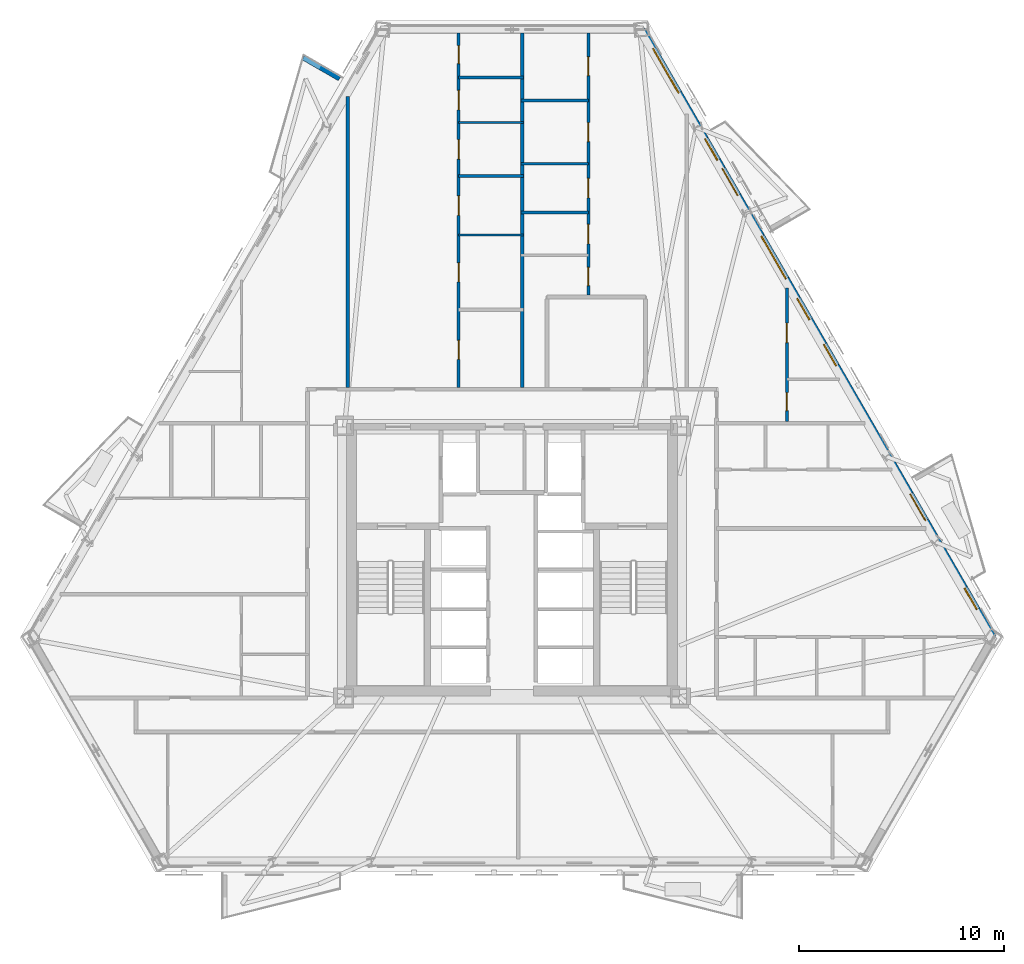
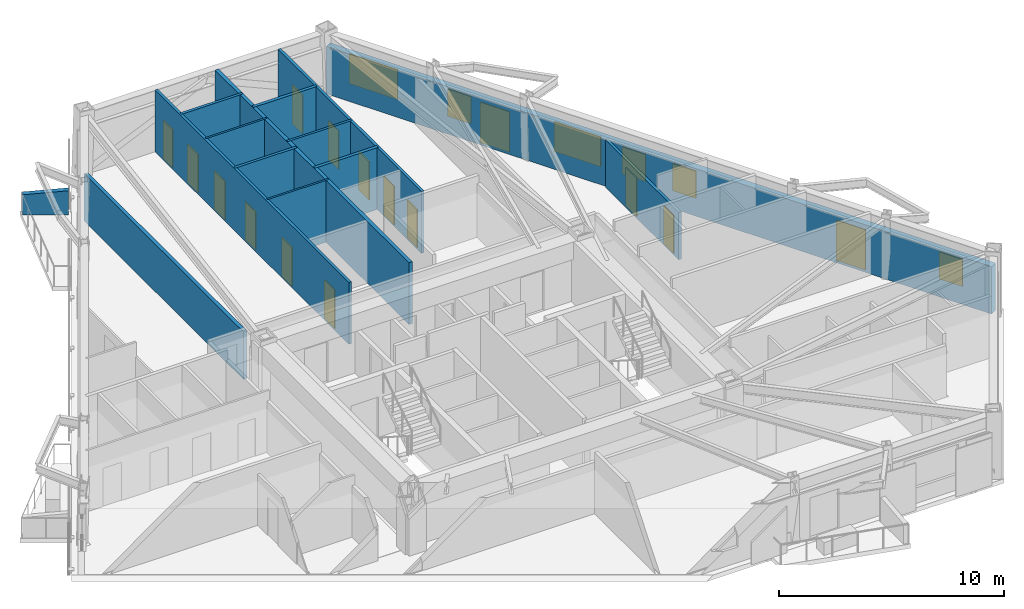
# One storey, part 6 of 11: 15 doors, 14 walls, 6 windows, 21 openings.
"""IFC4 building model written with IfcOpenShell, lengths in metres."""

from ifc_helpers import new_model, si_unit, direction, frame, frame_2d, origin, place, context, subcontext, project, spatial, polyline, rectangle, outline, extrude, material, layer, layer_set, type_object, element, fill, save


model = new_model("IFC4")

# Units and contexts
model_context = context("Model", 3, precision=1e-05, world=origin(), true_north=direction((0.0, 1.0)))
body_context = subcontext(model_context, "Body", "Model", "MODEL_VIEW")
ifc_project = project(units=[si_unit("LENGTHUNIT", "METRE"), si_unit("AREAUNIT", "SQUARE_METRE"), si_unit("VOLUMEUNIT", "CUBIC_METRE"), si_unit("PLANEANGLEUNIT", "RADIAN"), si_unit("MASSUNIT", "GRAM", prefix="KILO")], contexts=[model_context])

# Site, building, storey
site_placement = place(None, origin())
site = spatial("IfcSite", under=ifc_project, at=site_placement, CompositionType="ELEMENT")
building_placement = place(site_placement, origin())
building = spatial("IfcBuilding", under=site, at=building_placement, Name="Oramaril Tower", CompositionType="ELEMENT")
storey_placement = place(building_placement, frame((0.0, 0.0, 86.10009765625)))
storey = spatial("IfcBuildingStorey", under=building, at=storey_placement, Name="L22", CompositionType="ELEMENT", Elevation=86.10009765625)

# Wall, openings, doors, windows
ifc_material_1 = material(Name="Warm Cream Limestone", Category="masonry")
ifc_layer_1 = layer(ifc_material_1, 0.340087890625)
ifc_layer_set_1 = layer_set([ifc_layer_1], Name="WT-EXT34")
wall_type_1 = type_object("IfcWallType", Name="WT-EXT34", PredefinedType="SOLIDWALL", material=ifc_layer_set_1)
wall_1_placement = place(storey_placement, frame((60.917236328125, 13.87939453125, 0.0), z_axis=(0.0, 0.0, 1.0), x_axis=(-0.49999956034, 0.866025657622, 0.0)))
wall_1 = element("IfcWall", 1, at=wall_1_placement, inside=storey, type_object=wall_type_1, Name="L22 Tower Limestone Facade Wall 4M", PredefinedType="SOLIDWALL", context=body_context, shape_type="SweptSolid", body=[
    extrude(rectangle(XDim=34.19189453125, YDim=0.340087890625, at=frame_2d((17.095947265625, 0.0))), origin(), (0.0, 0.0, 1.0), 2.577880859375),
])
opening_1_placement = place(wall_1_placement, frame((6.579345703125, 0.0, 0.0)))
opening_1 = element("IfcOpeningElement", 2, at=opening_1_placement, cuts=wall_1, Name="Opening D-L22-BAL-NE1", PredefinedType="OPENING", context=body_context, shape_type="SweptSolid", body=[
    extrude(rectangle(XDim=1.5, YDim=2.199951171875, at=frame_2d((0.75, 1.10009765625))), frame((0.0, 0.169921875, 0.0), z_axis=(0.0, -1.0, 0.0), x_axis=(1.0, 0.0, 0.0)), (0.0, 0.0, 1.0), 0.340087890625),
])
opening_2_placement = place(wall_1_placement, frame((24.86767578125, 0.0, 0.0)))
opening_2 = element("IfcOpeningElement", 3, at=opening_2_placement, cuts=wall_1, Name="Opening D-L22-BAL-NE2", PredefinedType="OPENING", context=body_context, shape_type="SweptSolid", body=[
    extrude(rectangle(XDim=1.5, YDim=2.199951171875, at=frame_2d((0.75, 1.10009765625))), frame((0.0, 0.169921875, 0.0), z_axis=(0.0, -1.0, 0.0), x_axis=(1.0, 0.0, 0.0)), (0.0, 0.0, 1.0), 0.340087890625),
])
opening_3_placement = place(wall_1_placement, frame((1.583984375, 0.0, 0.85009765625)))
opening_3 = element("IfcOpeningElement", 4, at=opening_3_placement, cuts=wall_1, Name="Opening WN-09", PredefinedType="OPENING", context=body_context, shape_type="SweptSolid", body=[
    extrude(rectangle(XDim=1.199951171875, YDim=1.47998046875, at=frame_2d((0.60009765625, 0.739990234375))), frame((0.0, 0.169921875, 0.0), z_axis=(0.0, -1.0, 0.0), x_axis=(1.0, 0.0, 0.0)), (0.0, 0.0, 1.0), 0.340087890625),
])
opening_4_placement = place(wall_1_placement, frame((30.611328125, 0.0, 0.85009765625)))
opening_4 = element("IfcOpeningElement", 5, at=opening_4_placement, cuts=wall_1, Name="Opening WN-11", PredefinedType="OPENING", context=body_context, shape_type="SweptSolid", body=[
    extrude(rectangle(XDim=2.5, YDim=1.617919921875, at=frame_2d((1.25, 0.80908203125))), frame((0.0, 0.169921875, 0.0), z_axis=(0.0, -1.0, 0.0), x_axis=(1.0, 0.0, 0.0)), (0.0, 0.0, 1.0), 0.340087890625),
])
opening_5_placement = place(wall_1_placement, frame((20.169921875, 0.0, 0.85009765625)))
opening_5 = element("IfcOpeningElement", 6, at=opening_5_placement, cuts=wall_1, Name="Opening WN-03", PredefinedType="OPENING", context=body_context, shape_type="SweptSolid", body=[
    extrude(rectangle(XDim=2.39990234375, YDim=1.617919921875, at=frame_2d((1.199951171875, 0.80908203125))), frame((0.0, 0.169921875, 0.0), z_axis=(0.0, -1.0, 0.0), x_axis=(1.0, 0.0, 0.0)), (0.0, 0.0, 1.0), 0.340087890625),
])
opening_6_placement = place(wall_1_placement, frame((26.84130859375, 0.0, 0.85009765625)))
opening_6 = element("IfcOpeningElement", 7, at=opening_6_placement, cuts=wall_1, Name="Opening WN-09", PredefinedType="OPENING", context=body_context, shape_type="SweptSolid", body=[
    extrude(rectangle(XDim=1.199951171875, YDim=1.47998046875, at=frame_2d((0.60009765625, 0.739990234375))), frame((0.0, 0.169921875, 0.0), z_axis=(0.0, -1.0, 0.0), x_axis=(1.0, 0.0, 0.0)), (0.0, 0.0, 1.0), 0.340087890625),
])
opening_7_placement = place(wall_1_placement, frame((15.27880859375, 0.0, 0.85009765625)))
opening_7 = element("IfcOpeningElement", 8, at=opening_7_placement, cuts=wall_1, Name="Opening WN-09", PredefinedType="OPENING", context=body_context, shape_type="SweptSolid", body=[
    extrude(rectangle(XDim=1.199951171875, YDim=1.47998046875, at=frame_2d((0.60009765625, 0.739990234375))), frame((0.0, 0.169921875, 0.0), z_axis=(0.0, -1.0, 0.0), x_axis=(1.0, 0.0, 0.0)), (0.0, 0.0, 1.0), 0.340087890625),
])
opening_8_placement = place(wall_1_placement, frame((17.87255859375, 0.0, 0.85009765625)))
opening_8 = element("IfcOpeningElement", 9, at=opening_8_placement, cuts=wall_1, Name="Opening WN-09", PredefinedType="OPENING", context=body_context, shape_type="SweptSolid", body=[
    extrude(rectangle(XDim=1.199951171875, YDim=1.47998046875, at=frame_2d((0.60009765625, 0.739990234375))), frame((0.0, 0.169921875, 0.0), z_axis=(0.0, -1.0, 0.0), x_axis=(1.0, 0.0, 0.0)), (0.0, 0.0, 1.0), 0.340087890625),
])
ifc_material_2 = material(Name="Anodised Aluminium 6063-T6", Category="aluminium")
door_type_1 = type_object("IfcDoorType", Name="DT-BAL", OperationType="NOTDEFINED", PredefinedType="DOOR", material=ifc_material_2)
door_1_placement = place(opening_1_placement, origin())
door_1 = element("IfcDoor", 10, at=door_1_placement, inside=storey, type_object=door_type_1, Name="L22 Balcony Glazed Door L22-BAL-NE1", OperationType="SINGLE_SWING_LEFT", OverallHeight=2.199951171875, OverallWidth=1.5, PredefinedType="DOOR", context=body_context, shape_type="SweptSolid", body=[
    extrude(rectangle(XDim=1.5, YDim=2.199951171875, at=frame_2d((0.75, 1.10009765625))), frame((0.0, 0.02490234375, 0.0), z_axis=(0.0, -1.0, 0.0), x_axis=(1.0, 0.0, 0.0)), (0.0, 0.0, 1.0), 0.050048828125),
])
fill(opening_1, door_1)
door_2_placement = place(opening_2_placement, origin())
door_2 = element("IfcDoor", 11, at=door_2_placement, inside=storey, type_object=door_type_1, Name="L22 Balcony Glazed Door L22-BAL-NE2", OperationType="SINGLE_SWING_RIGHT", OverallHeight=2.199951171875, OverallWidth=1.5, PredefinedType="DOOR", context=body_context, shape_type="SweptSolid", body=[
    extrude(rectangle(XDim=1.5, YDim=2.199951171875, at=frame_2d((0.75, 1.10009765625))), frame((0.0, 0.02490234375, 0.0), z_axis=(0.0, -1.0, 0.0), x_axis=(1.0, 0.0, 0.0)), (0.0, 0.0, 1.0), 0.050048828125),
])
fill(opening_2, door_2)
ifc_material_3 = material(Name="Coastal Low-E Insulated Glass", Category="glass")
window_type_1 = type_object("IfcWindowType", Name="WNT-03", PartitioningType="SINGLE_PANEL", PredefinedType="WINDOW", material=ifc_material_3)
window_1_placement = place(opening_5_placement, origin())
window_1 = element("IfcWindow", 12, at=window_1_placement, inside=storey, type_object=window_type_1, Name="L22 Chicago Bay Window WN-03", OverallHeight=1.617919921875, OverallWidth=2.39990234375, PartitioningType="SINGLE_PANEL", PredefinedType="WINDOW", context=body_context, shape_type="SweptSolid", body=[
    extrude(rectangle(XDim=2.39990234375, YDim=1.617919921875, at=frame_2d((1.199951171875, 0.80908203125))), frame((0.0, 0.030029296875, 0.0), z_axis=(0.0, -1.0, 0.0), x_axis=(1.0, 0.0, 0.0)), (0.0, 0.0, 1.0), 0.06005859375),
])
fill(opening_5, window_1)
ifc_material_4 = material(Name="Coastal Low-E Insulated Glass", Category="glass")
window_type_2 = type_object("IfcWindowType", Name="WNT-09", PartitioningType="SINGLE_PANEL", PredefinedType="WINDOW", material=ifc_material_4)
window_2_placement = place(opening_3_placement, origin())
window_2 = element("IfcWindow", 13, at=window_2_placement, inside=storey, type_object=window_type_2, Name="L22 Chicago Bay Window WN-09", OverallHeight=1.47998046875, OverallWidth=1.199951171875, PartitioningType="SINGLE_PANEL", PredefinedType="WINDOW", context=body_context, shape_type="SweptSolid", body=[
    extrude(rectangle(XDim=1.199951171875, YDim=1.47998046875, at=frame_2d((0.60009765625, 0.739990234375))), frame((0.0, 0.030029296875, 0.0), z_axis=(0.0, -1.0, 0.0), x_axis=(1.0, 0.0, 0.0)), (0.0, 0.0, 1.0), 0.06005859375),
])
fill(opening_3, window_2)
window_3_placement = place(opening_6_placement, origin())
window_3 = element("IfcWindow", 14, at=window_3_placement, inside=storey, type_object=window_type_2, Name="L22 Chicago Bay Window WN-09", OverallHeight=1.47998046875, OverallWidth=1.199951171875, PartitioningType="SINGLE_PANEL", PredefinedType="WINDOW", context=body_context, shape_type="SweptSolid", body=[
    extrude(rectangle(XDim=1.199951171875, YDim=1.47998046875, at=frame_2d((0.60009765625, 0.739990234375))), frame((0.0, 0.030029296875, 0.0), z_axis=(0.0, -1.0, 0.0), x_axis=(1.0, 0.0, 0.0)), (0.0, 0.0, 1.0), 0.06005859375),
])
fill(opening_6, window_3)
window_4_placement = place(opening_7_placement, origin())
window_4 = element("IfcWindow", 15, at=window_4_placement, inside=storey, type_object=window_type_2, Name="L22 Chicago Bay Window WN-09", OverallHeight=1.47998046875, OverallWidth=1.199951171875, PartitioningType="SINGLE_PANEL", PredefinedType="WINDOW", context=body_context, shape_type="SweptSolid", body=[
    extrude(rectangle(XDim=1.199951171875, YDim=1.47998046875, at=frame_2d((0.60009765625, 0.739990234375))), frame((0.0, 0.030029296875, 0.0), z_axis=(0.0, -1.0, 0.0), x_axis=(1.0, 0.0, 0.0)), (0.0, 0.0, 1.0), 0.06005859375),
])
fill(opening_7, window_4)
window_5_placement = place(opening_8_placement, origin())
window_5 = element("IfcWindow", 16, at=window_5_placement, inside=storey, type_object=window_type_2, Name="L22 Chicago Bay Window WN-09", OverallHeight=1.47998046875, OverallWidth=1.199951171875, PartitioningType="SINGLE_PANEL", PredefinedType="WINDOW", context=body_context, shape_type="SweptSolid", body=[
    extrude(rectangle(XDim=1.199951171875, YDim=1.47998046875, at=frame_2d((0.60009765625, 0.739990234375))), frame((0.0, 0.030029296875, 0.0), z_axis=(0.0, -1.0, 0.0), x_axis=(1.0, 0.0, 0.0)), (0.0, 0.0, 1.0), 0.06005859375),
])
fill(opening_8, window_5)
ifc_material_5 = material(Name="Coastal Low-E Insulated Glass", Category="glass")
window_type_3 = type_object("IfcWindowType", Name="WNT-11", PartitioningType="SINGLE_PANEL", PredefinedType="WINDOW", material=ifc_material_5)
window_6_placement = place(opening_4_placement, origin())
window_6 = element("IfcWindow", 17, at=window_6_placement, inside=storey, type_object=window_type_3, Name="L22 Chicago Bay Window WN-11", OverallHeight=1.617919921875, OverallWidth=2.5, PartitioningType="SINGLE_PANEL", PredefinedType="WINDOW", context=body_context, shape_type="SweptSolid", body=[
    extrude(rectangle(XDim=2.5, YDim=1.617919921875, at=frame_2d((1.25, 0.80908203125))), frame((0.0, 0.030029296875, 0.0), z_axis=(0.0, -1.0, 0.0), x_axis=(1.0, 0.0, 0.0)), (0.0, 0.0, 1.0), 0.06005859375),
])
fill(opening_4, window_6)

# Walls
ifc_material_6 = material(Name="Concrete C40/50", Category="concrete")
ifc_layer_2 = layer(ifc_material_6, 0.22998046875)
ifc_layer_set_2 = layer_set([ifc_layer_2], Name="WT-PRP23")
wall_type_2 = type_object("IfcWallType", Name="WT-PRP23", PredefinedType="PARAPET", material=ifc_layer_set_2)
wall_2_placement = place(storey_placement, frame((29.103515625, 41.09228515625, 0.0), z_axis=(0.0, 0.0, 1.0), x_axis=(-0.866012356593, 0.500022597718, 0.0)))
element("IfcWall", 18, at=wall_2_placement, inside=storey, type_object=wall_type_2, Name="L22 Trapezoidal Balcony Frame Cheek L22-BAL-NW1-L", PredefinedType="PARAPET", context=body_context, shape_type="SweptSolid", body=[
    extrude(outline(polyline([(0.0, 0.0), (2.0419921875, 0.0), (2.0419921875, 1.099853515625), (0.0, 1.31982421875), (0.0, 0.0)])), frame((0.0, 0.114990234375, 0.0), z_axis=(0.0, -1.0, 0.0), x_axis=(1.0, 0.0, 0.0)), (0.0, 0.0, 1.0), 0.22998046875),
])
ifc_material_7 = material(Name="Acoustic Gypsum Board Partition")
ifc_layer_3 = layer(ifc_material_7, 0.10009765625)
ifc_layer_set_3 = layer_set([ifc_layer_3], Name="WT-PT10")
wall_type_3 = type_object("IfcWallType", Name="WT-PT10", PredefinedType="PARTITIONING", material=ifc_layer_set_3)
for number, where, z_axis, x_axis, name in (
    (19, (34.89990234375, 33.489990234375, 0.0), (0.0, 0.0, 1.0), (1.0, 0.0, 0.0), "L22 Interior Partition PT-10"),
    (20, (34.89990234375, 38.9599609375, 0.0), (0.0, 0.0, 1.0), (1.0, 0.0, 0.0), "L22 Interior Partition PT-10"),
):
    element("IfcWall", number, at=place(storey_placement, frame(where, z_axis=z_axis, x_axis=x_axis)), inside=storey, type_object=wall_type_3, Name=name, PredefinedType="PARTITIONING", context=body_context, shape_type="SweptSolid", body=[
        extrude(rectangle(XDim=3.150146484375, YDim=0.10009765625, at=frame_2d((1.5751953125, 0.0))), origin(), (0.0, 0.0, 1.0), 3.35986328125),
    ])
ifc_material_8 = material(Name="Acoustic Gypsum Board Partition")
ifc_layer_4 = layer(ifc_material_8, 0.1201171875)
ifc_layer_set_4 = layer_set([ifc_layer_4], Name="WT-PT12")
wall_type_4 = type_object("IfcWallType", Name="WT-PT12", PredefinedType="PARTITIONING", material=ifc_layer_set_4)
wall_3_placement = place(storey_placement, frame((37.949951171875, 36.949951171875, 0.0), z_axis=(0.0, 0.0, 1.0), x_axis=(1.0, 0.0, 0.0)))
element("IfcWall", 21, at=wall_3_placement, inside=storey, type_object=wall_type_4, Name="L22 Interior Partition PT-12", PredefinedType="PARTITIONING", context=body_context, shape_type="SweptSolid", body=[
    extrude(rectangle(XDim=3.27001953125, YDim=0.1201171875, at=frame_2d((1.635009765625, 0.0))), origin(), (0.0, 0.0, 1.0), 3.35986328125),
])
ifc_material_9 = material(Name="Acoustic Gypsum Board Partition")
ifc_layer_5 = layer(ifc_material_9, 0.139892578125)
ifc_layer_set_5 = layer_set([ifc_layer_5], Name="WT-PT14")
wall_type_5 = type_object("IfcWallType", Name="WT-PT14", PredefinedType="PARTITIONING", material=ifc_layer_set_5)
for number, where, z_axis, x_axis, name in (
    (22, (34.89990234375, 36.35009765625, 0.0), (0.0, 0.0, 1.0), (1.0, 0.0, 0.0), "L22 Interior Partition PT-14"),
    (23, (34.89990234375, 41.159912109375, 0.0), (0.0, 0.0, 1.0), (1.0, 0.0, 0.0), "L22 Interior Partition PT-14"),
):
    element("IfcWall", number, at=place(storey_placement, frame(where, z_axis=z_axis, x_axis=x_axis)), inside=storey, type_object=wall_type_5, Name=name, PredefinedType="PARTITIONING", context=body_context, shape_type="SweptSolid", body=[
        extrude(rectangle(XDim=3.150146484375, YDim=0.139892578125, at=frame_2d((1.5751953125, 0.0))), origin(), (0.0, 0.0, 1.0), 3.35986328125),
    ])

# Wall, openings, doors
wall_4_placement = place(storey_placement, frame((34.89990234375, 26.06396484375, 0.0), z_axis=(0.0, 0.0, 1.0), x_axis=(0.0, 1.0, 0.0)))
wall_4 = element("IfcWall", 24, at=wall_4_placement, inside=storey, type_object=wall_type_5, Name="L22 Interior Partition PT-14", PredefinedType="PARTITIONING", context=body_context, shape_type="SweptSolid", body=[
    extrude(rectangle(XDim=17.25244140625, YDim=0.139892578125, at=frame_2d((8.626220703125, 0.0))), origin(), (0.0, 0.0, 1.0), 3.35986328125),
])
opening_9_placement = place(wall_4_placement, frame((1.368408203125, 0.0, 0.0)))
opening_9 = element("IfcOpeningElement", 25, at=opening_9_placement, cuts=wall_4, Name="Opening D-L22-26", PredefinedType="OPENING", context=body_context, shape_type="SweptSolid", body=[
    extrude(rectangle(XDim=0.919921875, YDim=2.1201171875, at=frame_2d((0.4599609375, 1.06005859375))), frame((0.0, 0.06982421875, 0.0), z_axis=(0.0, -1.0, 0.0), x_axis=(1.0, 0.0, 0.0)), (0.0, 0.0, 1.0), 0.139892578125),
])
opening_10_placement = place(wall_4_placement, frame((5.142822265625, 0.0, 0.0)))
opening_10 = element("IfcOpeningElement", 26, at=opening_10_placement, cuts=wall_4, Name="Opening D-L22-27", PredefinedType="OPENING", context=body_context, shape_type="SweptSolid", body=[
    extrude(rectangle(XDim=0.919921875, YDim=2.1201171875, at=frame_2d((0.4599609375, 1.06005859375))), frame((0.0, 0.06982421875, 0.0), z_axis=(0.0, -1.0, 0.0), x_axis=(1.0, 0.0, 0.0)), (0.0, 0.0, 1.0), 0.139892578125),
])
opening_11_placement = place(wall_4_placement, frame((8.381591796875, 0.0, 0.0)))
opening_11 = element("IfcOpeningElement", 27, at=opening_11_placement, cuts=wall_4, Name="Opening D-L22-28", PredefinedType="OPENING", context=body_context, shape_type="SweptSolid", body=[
    extrude(rectangle(XDim=0.949951171875, YDim=2.10009765625, at=frame_2d((0.47509765625, 1.050048828125))), frame((0.0, 0.06982421875, 0.0), z_axis=(0.0, -1.0, 0.0), x_axis=(1.0, 0.0, 0.0)), (0.0, 0.0, 1.0), 0.139892578125),
])
opening_12_placement = place(wall_4_placement, frame((11.11474609375, 0.0, 0.0)))
opening_12 = element("IfcOpeningElement", 28, at=opening_12_placement, cuts=wall_4, Name="Opening D-L22-29", PredefinedType="OPENING", context=body_context, shape_type="SweptSolid", body=[
    extrude(rectangle(XDim=0.949951171875, YDim=2.10009765625, at=frame_2d((0.47509765625, 1.050048828125))), frame((0.0, 0.06982421875, 0.0), z_axis=(0.0, -1.0, 0.0), x_axis=(1.0, 0.0, 0.0)), (0.0, 0.0, 1.0), 0.139892578125),
])
opening_13_placement = place(wall_4_placement, frame((13.516845703125, 0.0, 0.0)))
opening_13 = element("IfcOpeningElement", 29, at=opening_13_placement, cuts=wall_4, Name="Opening D-L22-30", PredefinedType="OPENING", context=body_context, shape_type="SweptSolid", body=[
    extrude(rectangle(XDim=0.949951171875, YDim=2.10009765625, at=frame_2d((0.47509765625, 1.050048828125))), frame((0.0, 0.06982421875, 0.0), z_axis=(0.0, -1.0, 0.0), x_axis=(1.0, 0.0, 0.0)), (0.0, 0.0, 1.0), 0.139892578125),
])
opening_14_placement = place(wall_4_placement, frame((15.759521484375, 0.0, 0.0)))
opening_14 = element("IfcOpeningElement", 30, at=opening_14_placement, cuts=wall_4, Name="Opening D-L22-31", PredefinedType="OPENING", context=body_context, shape_type="SweptSolid", body=[
    extrude(rectangle(XDim=0.8798828125, YDim=2.080078125, at=frame_2d((0.43994140625, 1.0400390625))), frame((0.0, 0.06982421875, 0.0), z_axis=(0.0, -1.0, 0.0), x_axis=(1.0, 0.0, 0.0)), (0.0, 0.0, 1.0), 0.139892578125),
])
ifc_material_10 = material(Name="FSC Brazilian Freijo Hardwood", Category="wood")
door_type_2 = type_object("IfcDoorType", Name="DT-BATH", OperationType="NOTDEFINED", PredefinedType="DOOR", material=ifc_material_10)
door_3_placement = place(opening_14_placement, origin())
door_3 = element("IfcDoor", 31, at=door_3_placement, inside=storey, type_object=door_type_2, Name="L22 Flat L22-U8 Bathroom Door D-L22-31", OperationType="SINGLE_SWING_LEFT", OverallHeight=2.080078125, OverallWidth=0.8798828125, PredefinedType="DOOR", context=body_context, shape_type="SweptSolid", body=[
    extrude(rectangle(XDim=0.8798828125, YDim=2.080078125, at=frame_2d((0.43994140625, 1.0400390625))), frame((0.0, 0.02490234375, 0.0), z_axis=(0.0, -1.0, 0.0), x_axis=(1.0, 0.0, 0.0)), (0.0, 0.0, 1.0), 0.050048828125),
])
fill(opening_14, door_3)
ifc_material_11 = material(Name="FSC Brazilian Freijo Hardwood", Category="wood")
door_type_3 = type_object("IfcDoorType", Name="DT-BED", OperationType="NOTDEFINED", PredefinedType="DOOR", material=ifc_material_11)
door_4_placement = place(opening_9_placement, origin())
door_4 = element("IfcDoor", 32, at=door_4_placement, inside=storey, type_object=door_type_3, Name="L22 Flat L22-U8 Master Bedroom Door D-L22-26", OperationType="SINGLE_SWING_RIGHT", OverallHeight=2.1201171875, OverallWidth=0.919921875, PredefinedType="DOOR", context=body_context, shape_type="SweptSolid", body=[
    extrude(rectangle(XDim=0.919921875, YDim=2.1201171875, at=frame_2d((0.4599609375, 1.06005859375))), frame((0.0, 0.02490234375, 0.0), z_axis=(0.0, -1.0, 0.0), x_axis=(1.0, 0.0, 0.0)), (0.0, 0.0, 1.0), 0.050048828125),
])
fill(opening_9, door_4)
door_5_placement = place(opening_10_placement, origin())
door_5 = element("IfcDoor", 33, at=door_5_placement, inside=storey, type_object=door_type_3, Name="L22 Flat L22-U8 Bedroom 2 Door D-L22-27", OperationType="SINGLE_SWING_LEFT", OverallHeight=2.1201171875, OverallWidth=0.919921875, PredefinedType="DOOR", context=body_context, shape_type="SweptSolid", body=[
    extrude(rectangle(XDim=0.919921875, YDim=2.1201171875, at=frame_2d((0.4599609375, 1.06005859375))), frame((0.0, 0.02490234375, 0.0), z_axis=(0.0, -1.0, 0.0), x_axis=(1.0, 0.0, 0.0)), (0.0, 0.0, 1.0), 0.050048828125),
])
fill(opening_10, door_5)
ifc_material_12 = material(Name="FSC Brazilian Freijo Hardwood", Category="wood")
door_type_4 = type_object("IfcDoorType", Name="DT-STDY", OperationType="NOTDEFINED", PredefinedType="DOOR", material=ifc_material_12)
door_6_placement = place(opening_11_placement, origin())
door_6 = element("IfcDoor", 34, at=door_6_placement, inside=storey, type_object=door_type_4, Name="L22 Flat L22-U8 Dining Room Door D-L22-28", OperationType="SINGLE_SWING_RIGHT", OverallHeight=2.10009765625, OverallWidth=0.949951171875, PredefinedType="DOOR", context=body_context, shape_type="SweptSolid", body=[
    extrude(rectangle(XDim=0.949951171875, YDim=2.10009765625, at=frame_2d((0.47509765625, 1.050048828125))), frame((0.0, 0.02490234375, 0.0), z_axis=(0.0, -1.0, 0.0), x_axis=(1.0, 0.0, 0.0)), (0.0, 0.0, 1.0), 0.050048828125),
])
fill(opening_11, door_6)
door_7_placement = place(opening_12_placement, origin())
door_7 = element("IfcDoor", 35, at=door_7_placement, inside=storey, type_object=door_type_4, Name="L22 Flat L22-U8 Private Dining Room Door D-L22-29", OperationType="SINGLE_SWING_LEFT", OverallHeight=2.10009765625, OverallWidth=0.949951171875, PredefinedType="DOOR", context=body_context, shape_type="SweptSolid", body=[
    extrude(rectangle(XDim=0.949951171875, YDim=2.10009765625, at=frame_2d((0.47509765625, 1.050048828125))), frame((0.0, 0.02490234375, 0.0), z_axis=(0.0, -1.0, 0.0), x_axis=(1.0, 0.0, 0.0)), (0.0, 0.0, 1.0), 0.050048828125),
])
fill(opening_12, door_7)
door_8_placement = place(opening_13_placement, origin())
door_8 = element("IfcDoor", 36, at=door_8_placement, inside=storey, type_object=door_type_4, Name="L22 Flat L22-U8 Kitchen Door D-L22-30", OperationType="SINGLE_SWING_RIGHT", OverallHeight=2.10009765625, OverallWidth=0.949951171875, PredefinedType="DOOR", context=body_context, shape_type="SweptSolid", body=[
    extrude(rectangle(XDim=0.949951171875, YDim=2.10009765625, at=frame_2d((0.47509765625, 1.050048828125))), frame((0.0, 0.02490234375, 0.0), z_axis=(0.0, -1.0, 0.0), x_axis=(1.0, 0.0, 0.0)), (0.0, 0.0, 1.0), 0.050048828125),
])
fill(opening_13, door_8)

wall_5_placement = place(storey_placement, frame((41.219970703125, 30.56396484375, 0.0), z_axis=(0.0, 0.0, 1.0), x_axis=(0.0, 1.0, 0.0)))
wall_5 = element("IfcWall", 37, at=wall_5_placement, inside=storey, type_object=wall_type_5, Name="L22 Interior Partition PT-14", PredefinedType="PARTITIONING", context=body_context, shape_type="SweptSolid", body=[
    extrude(rectangle(XDim=12.75244140625, YDim=0.139892578125, at=frame_2d((6.376220703125, 0.0))), origin(), (0.0, 0.0, 1.0), 3.35986328125),
])
opening_15_placement = place(wall_5_placement, frame((0.460205078125, 0.0, 0.0)))
opening_15 = element("IfcOpeningElement", 38, at=opening_15_placement, cuts=wall_5, Name="Opening D-L22-32", PredefinedType="OPENING", context=body_context, shape_type="SweptSolid", body=[
    extrude(rectangle(XDim=0.8798828125, YDim=2.080078125, at=frame_2d((0.43994140625, 1.0400390625))), frame((0.0, 0.06982421875, 0.0), z_axis=(0.0, -1.0, 0.0), x_axis=(1.0, 0.0, 0.0)), (0.0, 0.0, 1.0), 0.139892578125),
])
opening_16_placement = place(wall_5_placement, frame((2.493896484375, 0.0, 0.0)))
opening_16 = element("IfcOpeningElement", 39, at=opening_16_placement, cuts=wall_5, Name="Opening D-L22-33", PredefinedType="OPENING", context=body_context, shape_type="SweptSolid", body=[
    extrude(rectangle(XDim=0.949951171875, YDim=2.10009765625, at=frame_2d((0.47509765625, 1.050048828125))), frame((0.0, 0.06982421875, 0.0), z_axis=(0.0, -1.0, 0.0), x_axis=(1.0, 0.0, 0.0)), (0.0, 0.0, 1.0), 0.139892578125),
])
opening_17_placement = place(wall_5_placement, frame((4.725830078125, 0.0, 0.0)))
opening_17 = element("IfcOpeningElement", 40, at=opening_17_placement, cuts=wall_5, Name="Opening D-L22-34", PredefinedType="OPENING", context=body_context, shape_type="SweptSolid", body=[
    extrude(rectangle(XDim=0.949951171875, YDim=2.10009765625, at=frame_2d((0.47509765625, 1.050048828125))), frame((0.0, 0.06982421875, 0.0), z_axis=(0.0, -1.0, 0.0), x_axis=(1.0, 0.0, 0.0)), (0.0, 0.0, 1.0), 0.139892578125),
])
opening_18_placement = place(wall_5_placement, frame((7.466552734375, 0.0, 0.0)))
opening_18 = element("IfcOpeningElement", 41, at=opening_18_placement, cuts=wall_5, Name="Opening D-L22-35", PredefinedType="OPENING", context=body_context, shape_type="SweptSolid", body=[
    extrude(rectangle(XDim=0.919921875, YDim=2.1201171875, at=frame_2d((0.4599609375, 1.06005859375))), frame((0.0, 0.06982421875, 0.0), z_axis=(0.0, -1.0, 0.0), x_axis=(1.0, 0.0, 0.0)), (0.0, 0.0, 1.0), 0.139892578125),
])
opening_19_placement = place(wall_5_placement, frame((10.67578125, 0.0, 0.0)))
opening_19 = element("IfcOpeningElement", 42, at=opening_19_placement, cuts=wall_5, Name="Opening D-L22-36", PredefinedType="OPENING", context=body_context, shape_type="SweptSolid", body=[
    extrude(rectangle(XDim=0.919921875, YDim=2.1201171875, at=frame_2d((0.4599609375, 1.06005859375))), frame((0.0, 0.06982421875, 0.0), z_axis=(0.0, -1.0, 0.0), x_axis=(1.0, 0.0, 0.0)), (0.0, 0.0, 1.0), 0.139892578125),
])
door_9_placement = place(opening_15_placement, origin())
door_9 = element("IfcDoor", 43, at=door_9_placement, inside=storey, type_object=door_type_2, Name="L22 Flat L22-U9 Bathroom Door D-L22-32", OperationType="SINGLE_SWING_RIGHT", OverallHeight=2.080078125, OverallWidth=0.8798828125, PredefinedType="DOOR", context=body_context, shape_type="SweptSolid", body=[
    extrude(rectangle(XDim=0.8798828125, YDim=2.080078125, at=frame_2d((0.43994140625, 1.0400390625))), frame((0.0, 0.02490234375, 0.0), z_axis=(0.0, -1.0, 0.0), x_axis=(1.0, 0.0, 0.0)), (0.0, 0.0, 1.0), 0.050048828125),
])
fill(opening_15, door_9)
door_10_placement = place(opening_18_placement, origin())
door_10 = element("IfcDoor", 44, at=door_10_placement, inside=storey, type_object=door_type_3, Name="L22 Flat L22-U9 Bedroom 2 Door D-L22-35", OperationType="SINGLE_SWING_LEFT", OverallHeight=2.1201171875, OverallWidth=0.919921875, PredefinedType="DOOR", context=body_context, shape_type="SweptSolid", body=[
    extrude(rectangle(XDim=0.919921875, YDim=2.1201171875, at=frame_2d((0.4599609375, 1.06005859375))), frame((0.0, 0.02490234375, 0.0), z_axis=(0.0, -1.0, 0.0), x_axis=(1.0, 0.0, 0.0)), (0.0, 0.0, 1.0), 0.050048828125),
])
fill(opening_18, door_10)
door_11_placement = place(opening_19_placement, origin())
door_11 = element("IfcDoor", 45, at=door_11_placement, inside=storey, type_object=door_type_3, Name="L22 Flat L22-U9 Master Bedroom Door D-L22-36", OperationType="SINGLE_SWING_RIGHT", OverallHeight=2.1201171875, OverallWidth=0.919921875, PredefinedType="DOOR", context=body_context, shape_type="SweptSolid", body=[
    extrude(rectangle(XDim=0.919921875, YDim=2.1201171875, at=frame_2d((0.4599609375, 1.06005859375))), frame((0.0, 0.02490234375, 0.0), z_axis=(0.0, -1.0, 0.0), x_axis=(1.0, 0.0, 0.0)), (0.0, 0.0, 1.0), 0.050048828125),
])
fill(opening_19, door_11)
door_12_placement = place(opening_16_placement, origin())
door_12 = element("IfcDoor", 46, at=door_12_placement, inside=storey, type_object=door_type_4, Name="L22 Flat L22-U9 Kitchen Door D-L22-33", OperationType="SINGLE_SWING_LEFT", OverallHeight=2.10009765625, OverallWidth=0.949951171875, PredefinedType="DOOR", context=body_context, shape_type="SweptSolid", body=[
    extrude(rectangle(XDim=0.949951171875, YDim=2.10009765625, at=frame_2d((0.47509765625, 1.050048828125))), frame((0.0, 0.02490234375, 0.0), z_axis=(0.0, -1.0, 0.0), x_axis=(1.0, 0.0, 0.0)), (0.0, 0.0, 1.0), 0.050048828125),
])
fill(opening_16, door_12)
door_13_placement = place(opening_17_placement, origin())
door_13 = element("IfcDoor", 47, at=door_13_placement, inside=storey, type_object=door_type_4, Name="L22 Flat L22-U9 Reading Study Door D-L22-34", OperationType="SINGLE_SWING_RIGHT", OverallHeight=2.10009765625, OverallWidth=0.949951171875, PredefinedType="DOOR", context=body_context, shape_type="SweptSolid", body=[
    extrude(rectangle(XDim=0.949951171875, YDim=2.10009765625, at=frame_2d((0.47509765625, 1.050048828125))), frame((0.0, 0.02490234375, 0.0), z_axis=(0.0, -1.0, 0.0), x_axis=(1.0, 0.0, 0.0)), (0.0, 0.0, 1.0), 0.050048828125),
])
fill(opening_17, door_13)

wall_6_placement = place(storey_placement, frame((50.8798828125, 24.4140625, 0.0), z_axis=(0.0, 0.0, 1.0), x_axis=(0.0, 1.0, 0.0)))
wall_6 = element("IfcWall", 48, at=wall_6_placement, inside=storey, type_object=wall_type_5, Name="L22 Interior Partition PT-14", PredefinedType="PARTITIONING", context=body_context, shape_type="SweptSolid", body=[
    extrude(rectangle(XDim=6.50244140625, YDim=0.139892578125, at=frame_2d((3.251220703125, 0.0))), origin(), (0.0, 0.0, 1.0), 2.577880859375),
])
opening_20_placement = place(wall_6_placement, frame((0.52099609375, 0.0, 0.0)))
opening_20 = element("IfcOpeningElement", 49, at=opening_20_placement, cuts=wall_6, Name="Opening D-L22-40", PredefinedType="OPENING", context=body_context, shape_type="SweptSolid", body=[
    extrude(rectangle(XDim=0.8798828125, YDim=2.080078125, at=frame_2d((0.43994140625, 1.0400390625))), frame((0.0, 0.06982421875, 0.0), z_axis=(0.0, -1.0, 0.0), x_axis=(1.0, 0.0, 0.0)), (0.0, 0.0, 1.0), 0.139892578125),
])
opening_21_placement = place(wall_6_placement, frame((3.83740234375, 0.0, 0.0)))
opening_21 = element("IfcOpeningElement", 50, at=opening_21_placement, cuts=wall_6, Name="Opening D-L22-41", PredefinedType="OPENING", context=body_context, shape_type="SweptSolid", body=[
    extrude(rectangle(XDim=0.949951171875, YDim=2.10009765625, at=frame_2d((0.47509765625, 1.050048828125))), frame((0.0, 0.06982421875, 0.0), z_axis=(0.0, -1.0, 0.0), x_axis=(1.0, 0.0, 0.0)), (0.0, 0.0, 1.0), 0.139892578125),
])
door_14_placement = place(opening_20_placement, origin())
door_14 = element("IfcDoor", 51, at=door_14_placement, inside=storey, type_object=door_type_2, Name="L22 Flat L22-U10 Bathroom Door D-L22-40", OperationType="SINGLE_SWING_RIGHT", OverallHeight=2.080078125, OverallWidth=0.8798828125, PredefinedType="DOOR", context=body_context, shape_type="SweptSolid", body=[
    extrude(rectangle(XDim=0.8798828125, YDim=2.080078125, at=frame_2d((0.43994140625, 1.0400390625))), frame((0.0, 0.02490234375, 0.0), z_axis=(0.0, -1.0, 0.0), x_axis=(1.0, 0.0, 0.0)), (0.0, 0.0, 1.0), 0.050048828125),
])
fill(opening_20, door_14)
door_15_placement = place(opening_21_placement, origin())
door_15 = element("IfcDoor", 52, at=door_15_placement, inside=storey, type_object=door_type_4, Name="L22 Flat L22-U10 Kitchen Door D-L22-41", OperationType="SINGLE_SWING_LEFT", OverallHeight=2.10009765625, OverallWidth=0.949951171875, PredefinedType="DOOR", context=body_context, shape_type="SweptSolid", body=[
    extrude(rectangle(XDim=0.949951171875, YDim=2.10009765625, at=frame_2d((0.47509765625, 1.050048828125))), frame((0.0, 0.02490234375, 0.0), z_axis=(0.0, -1.0, 0.0), x_axis=(1.0, 0.0, 0.0)), (0.0, 0.0, 1.0), 0.050048828125),
])
fill(opening_21, door_15)

# Walls
ifc_material_13 = material(Name="Acoustic Gypsum Board Partition")
ifc_layer_6 = layer(ifc_material_13, 0.159912109375)
ifc_layer_set_6 = layer_set([ifc_layer_6], Name="WT-PT16")
wall_type_6 = type_object("IfcWallType", Name="WT-PT16", PredefinedType="PARTITIONING", material=ifc_layer_set_6)
for number, where, z_axis, x_axis, name in (
    (53, (37.949951171875, 34.580078125, 0.0), (0.0, 0.0, 1.0), (1.0, 0.0, 0.0), "L22 Interior Partition PT-16"),
    (54, (37.949951171875, 40.030029296875, 0.0), (0.0, 0.0, 1.0), (1.0, 0.0, 0.0), "L22 Interior Partition PT-16"),
):
    element("IfcWall", number, at=place(storey_placement, frame(where, z_axis=z_axis, x_axis=x_axis)), inside=storey, type_object=wall_type_6, Name=name, PredefinedType="PARTITIONING", context=body_context, shape_type="SweptSolid", body=[
        extrude(rectangle(XDim=3.27001953125, YDim=0.159912109375, at=frame_2d((1.635009765625, 0.0))), origin(), (0.0, 0.0, 1.0), 3.35986328125),
    ])
ifc_material_14 = material(Name="Autoclaved Cellular Concrete Block", Category="concrete")
ifc_layer_7 = layer(ifc_material_14, 0.179931640625)
ifc_layer_set_7 = layer_set([ifc_layer_7], Name="WT-PT18")
wall_type_7 = type_object("IfcWallType", Name="WT-PT18", PredefinedType="PARTITIONING", material=ifc_layer_set_7)
wall_7_placement = place(storey_placement, frame((29.5, 26.06396484375, 0.0), z_axis=(0.0, 0.0, 1.0), x_axis=(0.0, 1.0, 0.0)))
element("IfcWall", 55, at=wall_7_placement, inside=storey, type_object=wall_type_7, Name="L22 Interior Partition PT-18", PredefinedType="PARTITIONING", context=body_context, shape_type="SweptSolid", body=[
    extrude(rectangle(XDim=14.1708984375, YDim=0.179931640625, at=frame_2d((7.08544921875, 0.0))), origin(), (0.0, 0.0, 1.0), 2.577880859375),
])
wall_8_placement = place(storey_placement, frame((38.0, 26.06396484375, 0.0), z_axis=(0.0, 0.0, 1.0), x_axis=(0.0, 1.0, 0.0)))
element("IfcWall", 56, at=wall_8_placement, inside=storey, type_object=wall_type_7, Name="L22 Interior Partition PT-18", PredefinedType="PARTITIONING", context=body_context, shape_type="SweptSolid", body=[
    extrude(rectangle(XDim=17.25244140625, YDim=0.179931640625, at=frame_2d((8.626220703125, 0.0))), origin(), (0.0, 0.0, 1.0), 3.35986328125),
])

save(model, "model.ifc")
